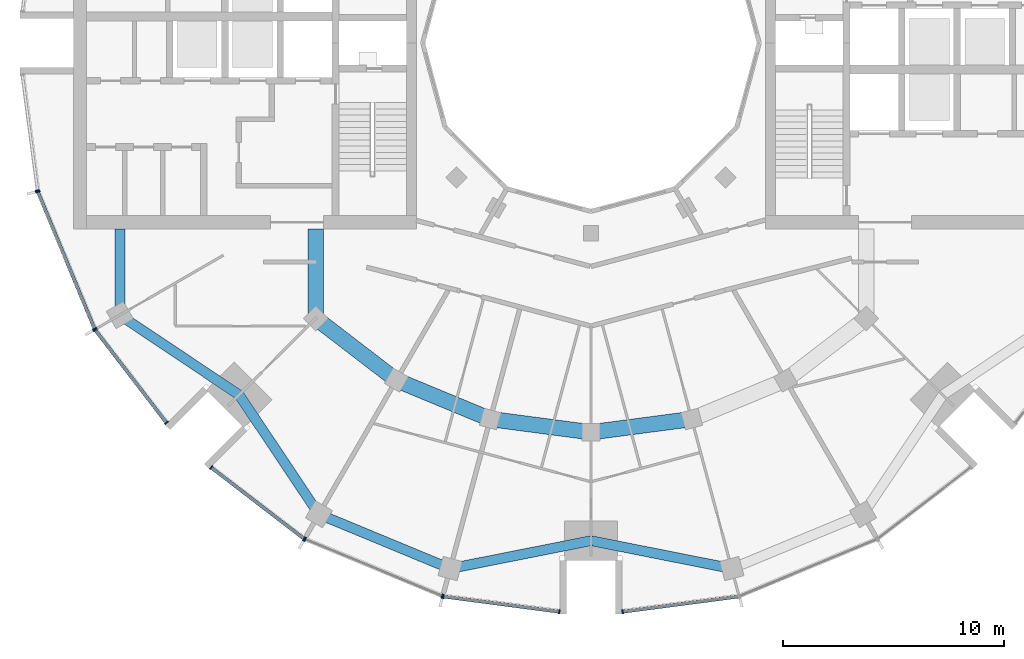
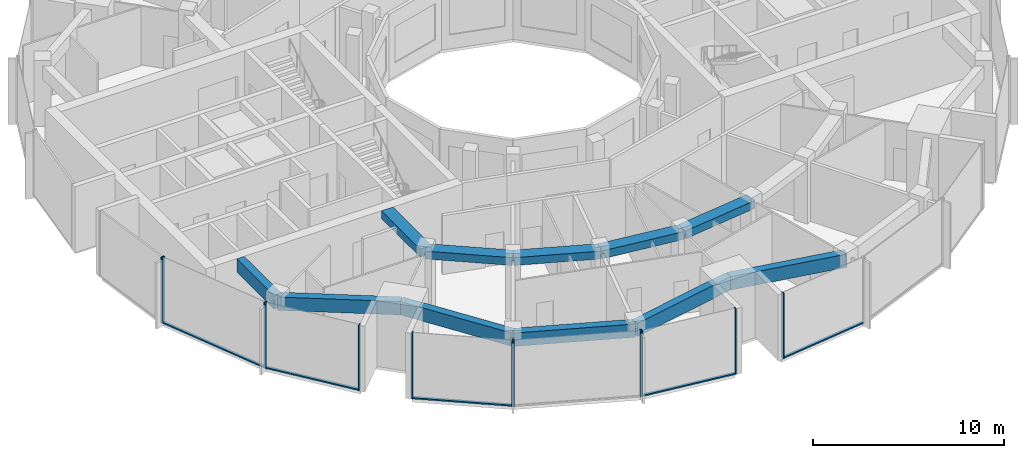
# One storey, part 2 of 15: 17 members, 11 beams, 7 elements without a shape of their own.
"""IFC4 building model written with IfcOpenShell, lengths in metres."""

from ifc_helpers import new_model, si_unit, direction, frame, origin, origin_2d, place, context, subcontext, project, spatial, rectangle, extrude, material, layer, layer_set, material_profile, profile_set, type_object, element, aggregate, save


model = new_model("IFC4")

# Units and contexts
model_context = context("Model", 3, precision=1e-05, world=origin(), true_north=direction((0.0, 1.0)))
body_context = subcontext(model_context, "Body", "Model", "MODEL_VIEW")
ifc_project = project(units=[si_unit("LENGTHUNIT", "METRE"), si_unit("AREAUNIT", "SQUARE_METRE"), si_unit("VOLUMEUNIT", "CUBIC_METRE"), si_unit("PLANEANGLEUNIT", "RADIAN"), si_unit("MASSUNIT", "GRAM", prefix="KILO")], contexts=[model_context])

# Site, building, storey
site_placement = place(None, origin())
site = spatial("IfcSite", under=ifc_project, at=site_placement, CompositionType="ELEMENT")
building_placement = place(site_placement, origin())
building = spatial("IfcBuilding", under=site, at=building_placement, Name="Torre Brocal", CompositionType="ELEMENT")
storey_placement = place(building_placement, frame((0.0, 0.0, 216.699951171875)))
storey = spatial("IfcBuildingStorey", under=building, at=storey_placement, Name="L50", CompositionType="ELEMENT", Elevation=216.699951171875)

# Curtain wall, members
ifc_material_1 = material(Name="Aluminium and glass", Category="aluminium")
ifc_layer_1 = layer(ifc_material_1, 0.199951171875)
ifc_layer_set_1 = layer_set([ifc_layer_1], Name="Aluminium and glass")
curtain_wall_type_1 = type_object("IfcCurtainWallType", Name="CW-1 CURTAIN WALL 4200 HIGH", PredefinedType="NOTDEFINED", material=ifc_layer_set_1)
curtain_wall_1_placement = place(storey_placement, origin())
curtain_wall_1 = element("IfcCurtainWall", 1, at=curtain_wall_1_placement, inside=storey, type_object=curtain_wall_type_1, Name="CW-1 RUN 14", PredefinedType="NOTDEFINED")
ifc_material_2 = material(Name="Aluminium, dark anodised", Category="aluminium")
ifc_material_profile_1 = material_profile(ifc_material_2, rectangle(XDim=0.199951171875, YDim=0.06005859375, at=origin_2d()), Name="CW-1 MULLION 60X200")
ifc_profile_set_1 = profile_set([ifc_material_profile_1], Name="Aluminium, dark anodised")
member_type_1 = type_object("IfcMemberType", Name="CW-1 MULLION 60X200", PredefinedType="MULLION", material=ifc_profile_set_1)
member_1_placement = place(storey_placement, frame((54.994873046875, 68.26904296875, 0.0), z_axis=(0.0, 0.0, 1.0), x_axis=(0.923879532525, 0.382683432333, 0.0)))
member_1 = element("IfcMember", 2, at=member_1_placement, type_object=member_type_1, Name="CW1-5 mullion 1", PredefinedType="MULLION", context=body_context, shape_type="SweptSolid", body=[
    extrude(rectangle(XDim=0.199951171875, YDim=0.06005859375, at=origin_2d()), origin(), (0.0, 0.0, 1.0), 4.199951171875),
])
member_2_placement = place(storey_placement, frame((57.559326171875, 62.078125, 0.0), z_axis=(0.0, 0.0, 1.0), x_axis=(0.923879532525, 0.382683432333, 0.0)))
member_2 = element("IfcMember", 3, at=member_2_placement, type_object=member_type_1, Name="CW1-5 mullion 2", PredefinedType="MULLION", context=body_context, shape_type="SweptSolid", body=[
    extrude(rectangle(XDim=0.199951171875, YDim=0.06005859375, at=origin_2d()), origin(), (0.0, 0.0, 1.0), 4.199951171875),
])

curtain_wall_2_placement = place(storey_placement, origin())
curtain_wall_2 = element("IfcCurtainWall", 4, at=curtain_wall_2_placement, inside=storey, type_object=curtain_wall_type_1, Name="CW-1 RUN 15", PredefinedType="NOTDEFINED")
member_3_placement = place(storey_placement, frame((57.5888671875, 62.026611328125, 0.0), z_axis=(0.0, 0.0, 1.0), x_axis=(0.793353340259, 0.60876142905, 0.0)))
member_3 = element("IfcMember", 5, at=member_3_placement, type_object=member_type_1, Name="CW1-5 mullion 1", PredefinedType="MULLION", context=body_context, shape_type="SweptSolid", body=[
    extrude(rectangle(XDim=0.199951171875, YDim=0.06005859375, at=origin_2d()), origin(), (0.0, 0.0, 1.0), 4.199951171875),
])
member_4_placement = place(storey_placement, frame((60.80859375, 57.83056640625, 0.0), z_axis=(0.0, 0.0, 1.0), x_axis=(0.793353340259, 0.60876142905, 0.0)))
member_4 = element("IfcMember", 6, at=member_4_placement, type_object=member_type_1, Name="CW1-5 mullion 2", PredefinedType="MULLION", context=body_context, shape_type="SweptSolid", body=[
    extrude(rectangle(XDim=0.199951171875, YDim=0.06005859375, at=origin_2d()), origin(), (0.0, 0.0, 1.0), 4.199951171875),
])

curtain_wall_3_placement = place(storey_placement, origin())
curtain_wall_3 = element("IfcCurtainWall", 7, at=curtain_wall_3_placement, inside=storey, type_object=curtain_wall_type_1, Name="CW-1 RUN 16", PredefinedType="NOTDEFINED")
member_5_placement = place(storey_placement, frame((62.83056640625, 55.80859375, 0.0), z_axis=(0.0, 0.0, 1.0), x_axis=(0.60876142905, 0.793353340259, 0.0)))
member_5 = element("IfcMember", 8, at=member_5_placement, type_object=member_type_1, Name="CW1-5 mullion 1", PredefinedType="MULLION", context=body_context, shape_type="SweptSolid", body=[
    extrude(rectangle(XDim=0.199951171875, YDim=0.06005859375, at=origin_2d()), origin(), (0.0, 0.0, 1.0), 4.199951171875),
])
member_6_placement = place(storey_placement, frame((67.026611328125, 52.5888671875, 0.0), z_axis=(0.0, 0.0, 1.0), x_axis=(0.60876142905, 0.793353340259, 0.0)))
member_6 = element("IfcMember", 9, at=member_6_placement, type_object=member_type_1, Name="CW1-5 mullion 2", PredefinedType="MULLION", context=body_context, shape_type="SweptSolid", body=[
    extrude(rectangle(XDim=0.199951171875, YDim=0.06005859375, at=origin_2d()), origin(), (0.0, 0.0, 1.0), 4.199951171875),
])

curtain_wall_4_placement = place(storey_placement, origin())
curtain_wall_4 = element("IfcCurtainWall", 10, at=curtain_wall_4_placement, inside=storey, type_object=curtain_wall_type_1, Name="CW-1 RUN 17", PredefinedType="NOTDEFINED")
member_7_placement = place(storey_placement, frame((67.078125, 52.559326171875, 0.0), z_axis=(0.0, 0.0, 1.0), x_axis=(0.382683432333, 0.923879532525, 0.0)))
member_7 = element("IfcMember", 11, at=member_7_placement, type_object=member_type_1, Name="CW1-5 mullion 1", PredefinedType="MULLION", context=body_context, shape_type="SweptSolid", body=[
    extrude(rectangle(XDim=0.199951171875, YDim=0.06005859375, at=origin_2d()), origin(), (0.0, 0.0, 1.0), 4.199951171875),
])
member_8_placement = place(storey_placement, frame((73.26904296875, 49.994873046875, 0.0), z_axis=(0.0, 0.0, 1.0), x_axis=(0.382683432333, 0.923879532525, 0.0)))
member_8 = element("IfcMember", 12, at=member_8_placement, type_object=member_type_1, Name="CW1-5 mullion 2", PredefinedType="MULLION", context=body_context, shape_type="SweptSolid", body=[
    extrude(rectangle(XDim=0.199951171875, YDim=0.06005859375, at=origin_2d()), origin(), (0.0, 0.0, 1.0), 4.199951171875),
])
aggregate(curtain_wall_4, [member_7, member_8])

curtain_wall_5_placement = place(storey_placement, origin())
curtain_wall_5 = element("IfcCurtainWall", 13, at=curtain_wall_5_placement, inside=storey, type_object=curtain_wall_type_1, Name="CW-1 RUN 18", PredefinedType="NOTDEFINED")
member_9_placement = place(storey_placement, frame((73.32666015625, 49.9794921875, 0.0), z_axis=(0.0, 0.0, 1.0), x_axis=(0.13052619222, 0.991444861374, 0.0)))
member_9 = element("IfcMember", 14, at=member_9_placement, type_object=member_type_1, Name="CW1-5 mullion 1", PredefinedType="MULLION", context=body_context, shape_type="SweptSolid", body=[
    extrude(rectangle(XDim=0.199951171875, YDim=0.06005859375, at=origin_2d()), origin(), (0.0, 0.0, 1.0), 4.199951171875),
])
member_10_placement = place(storey_placement, frame((78.5703125, 49.2890625, 0.0), z_axis=(0.0, 0.0, 1.0), x_axis=(0.13052619222, 0.991444861374, 0.0)))
member_10 = element("IfcMember", 15, at=member_10_placement, type_object=member_type_1, Name="CW1-5 mullion 2", PredefinedType="MULLION", context=body_context, shape_type="SweptSolid", body=[
    extrude(rectangle(XDim=0.199951171875, YDim=0.06005859375, at=origin_2d()), origin(), (0.0, 0.0, 1.0), 4.199951171875),
])

# Curtain wall, member
curtain_wall_6_placement = place(storey_placement, origin())
curtain_wall_6 = element("IfcCurtainWall", 16, at=curtain_wall_6_placement, inside=storey, type_object=curtain_wall_type_1, Name="CW-1 RUN 19", PredefinedType="NOTDEFINED")
member_11_placement = place(storey_placement, frame((81.4296875, 49.2890625, 0.0), z_axis=(0.0, 0.0, 1.0), x_axis=(-0.13052619222, 0.991444861374, 0.0)))
member_11 = element("IfcMember", 17, at=member_11_placement, type_object=member_type_1, Name="CW1-5 mullion 1", PredefinedType="MULLION", context=body_context, shape_type="SweptSolid", body=[
    extrude(rectangle(XDim=0.199951171875, YDim=0.06005859375, at=origin_2d()), origin(), (0.0, 0.0, 1.0), 4.199951171875),
])

# Member
ifc_material_3 = material(Name="Aluminium, dark anodised", Category="aluminium")
ifc_material_profile_2 = material_profile(ifc_material_3, rectangle(XDim=0.159912109375, YDim=0.080078125, at=origin_2d()), Name="CW-1 TRANSOM 160X80")
ifc_profile_set_2 = profile_set([ifc_material_profile_2], Name="Aluminium, dark anodised")
member_type_2 = type_object("IfcMemberType", Name="CW-1 TRANSOM 160X80", PredefinedType="USERDEFINED", material=ifc_profile_set_2)
member_12_placement = place(storey_placement, frame((55.00634765625, 68.241455078125, 0.0400390625), z_axis=(0.38266457234, -0.923887344364, 0.0), x_axis=(0.923887344364, 0.38266457234, 0.0)))
member_12 = element("IfcMember", 18, at=member_12_placement, type_object=member_type_2, Name="CW1-5 transom 1.1", ObjectType="TRANSOM", PredefinedType="USERDEFINED", context=body_context, shape_type="SweptSolid", body=[
    extrude(rectangle(XDim=0.159912109375, YDim=0.080078125, at=origin_2d()), origin(), (0.0, 0.0, 1.0), 6.640869140625),
])

aggregate(curtain_wall_1, [member_1, member_2, member_12])

member_13_placement = place(storey_placement, frame((57.607177734375, 62.0029296875, 0.0400390625), z_axis=(0.60874908096, -0.79336281513, 0.0), x_axis=(0.79336281513, 0.60874908096, 0.0)))
member_13 = element("IfcMember", 19, at=member_13_placement, type_object=member_type_2, Name="CW1-5 transom 1.1", ObjectType="TRANSOM", PredefinedType="USERDEFINED", context=body_context, shape_type="SweptSolid", body=[
    extrude(rectangle(XDim=0.159912109375, YDim=0.080078125, at=origin_2d()), origin(), (0.0, 0.0, 1.0), 5.22900390625),
])

aggregate(curtain_wall_2, [member_3, member_4, member_13])

member_14_placement = place(storey_placement, frame((62.8544921875, 55.790283203125, 0.0400390625), z_axis=(0.79336281513, -0.60874908096, 0.0), x_axis=(0.60874908096, 0.79336281513, 0.0)))
member_14 = element("IfcMember", 20, at=member_14_placement, type_object=member_type_2, Name="CW1-5 transom 1.1", ObjectType="TRANSOM", PredefinedType="USERDEFINED", context=body_context, shape_type="SweptSolid", body=[
    extrude(rectangle(XDim=0.159912109375, YDim=0.080078125, at=origin_2d()), origin(), (0.0, 0.0, 1.0), 5.22900390625),
])

aggregate(curtain_wall_3, [member_5, member_6, member_14])

member_15_placement = place(storey_placement, frame((73.356201171875, 49.9755859375, 0.0400390625), z_axis=(0.991442690863, -0.130542677827, 0.0), x_axis=(0.130542677827, 0.991442690863, 0.0)))
member_15 = element("IfcMember", 21, at=member_15_placement, type_object=member_type_2, Name="CW1-5 transom 1.1", ObjectType="TRANSOM", PredefinedType="USERDEFINED", context=body_context, shape_type="SweptSolid", body=[
    extrude(rectangle(XDim=0.159912109375, YDim=0.080078125, at=origin_2d()), origin(), (0.0, 0.0, 1.0), 5.22900390625),
])

aggregate(curtain_wall_5, [member_9, member_10, member_15])

member_16_placement = place(storey_placement, frame((81.45947265625, 49.29296875, 0.0400390625), z_axis=(0.991442690863, 0.130542677827, 0.0), x_axis=(-0.130542677827, 0.991442690863, 0.0)))
member_16 = element("IfcMember", 22, at=member_16_placement, type_object=member_type_2, Name="CW1-5 transom 1.1", ObjectType="TRANSOM", PredefinedType="USERDEFINED", context=body_context, shape_type="SweptSolid", body=[
    extrude(rectangle(XDim=0.159912109375, YDim=0.080078125, at=origin_2d()), origin(), (0.0, 0.0, 1.0), 5.22900390625),
])

aggregate(curtain_wall_6, [member_11, member_16])

# Curtain wall, member
ifc_material_4 = material(Name="Aluminium and glass", Category="aluminium")
ifc_layer_2 = layer(ifc_material_4, 0.199951171875)
ifc_layer_set_2 = layer_set([ifc_layer_2], Name="Aluminium and glass")
curtain_wall_type_2 = type_object("IfcCurtainWallType", Name="CW-1B CURTAIN WALL 4200 HIGH", PredefinedType="NOTDEFINED", material=ifc_layer_set_2)
curtain_wall_7_placement = place(storey_placement, origin())
curtain_wall_7 = element("IfcCurtainWall", 23, at=curtain_wall_7_placement, inside=storey, type_object=curtain_wall_type_2, Name="CW-1B RUN 13", PredefinedType="NOTDEFINED")
ifc_material_5 = material(Name="Aluminium, dark anodised", Category="aluminium")
ifc_material_profile_3 = material_profile(ifc_material_5, rectangle(XDim=0.199951171875, YDim=0.06005859375, at=origin_2d()), Name="CW-1B MULLION 60X200")
ifc_profile_set_3 = profile_set([ifc_material_profile_3], Name="Aluminium, dark anodised")
member_type_3 = type_object("IfcMemberType", Name="CW-1B MULLION 60X200", PredefinedType="MULLION", material=ifc_profile_set_3)
member_17_placement = place(storey_placement, frame((54.9794921875, 68.32666015625, 0.0), z_axis=(0.0, 0.0, 1.0), x_axis=(0.991444861374, 0.13052619222, 0.0)))
member_17 = element("IfcMember", 24, at=member_17_placement, type_object=member_type_3, Name="CW1B-5 mullion 2", PredefinedType="MULLION", context=body_context, shape_type="SweptSolid", body=[
    extrude(rectangle(XDim=0.199951171875, YDim=0.06005859375, at=origin_2d()), origin(), (0.0, 0.0, 1.0), 4.199951171875),
])
aggregate(curtain_wall_7, [member_17])

# Beams
ifc_material_6 = material(Name="Concrete C50", Category="concrete")
ifc_material_profile_4 = material_profile(ifc_material_6, rectangle(XDim=0.699951171875, YDim=0.5, at=origin_2d()), Name="RC 700X500")
ifc_profile_set_4 = profile_set([ifc_material_profile_4], Name="Concrete C50")
beam_type_1 = type_object("IfcBeamType", Name="RC BEAM 700X500 C50 TOP 3880", PredefinedType="BEAM", material=ifc_profile_set_4)
beam_1_placement = place(storey_placement, frame((67.554931640625, 62.554931640625, 3.630126953125), z_axis=(0.0, 1.0, 0.0), x_axis=(-1.0, 0.0, 0.0)))
element("IfcBeam", 25, at=beam_1_placement, inside=storey, type_object=beam_type_1, Name="Beam BT-37", PredefinedType="BEAM", context=body_context, shape_type="SweptSolid", body=[
    extrude(rectangle(XDim=0.699951171875, YDim=0.5, at=origin_2d()), origin(), (0.0, 0.0, 1.0), 4.045166015625),
])
beam_2_placement = place(storey_placement, frame((67.554931640625, 62.554931640625, 3.630126953125), z_axis=(0.793358265959, -0.6087550097, 0.0), x_axis=(0.6087550097, 0.793358265959, 0.0)))
element("IfcBeam", 26, at=beam_2_placement, inside=storey, type_object=beam_type_1, Name="Beam BT-37", PredefinedType="BEAM", context=body_context, shape_type="SweptSolid", body=[
    extrude(rectangle(XDim=0.699951171875, YDim=0.5, at=origin_2d()), origin(), (0.0, 0.0, 1.0), 4.594482421875),
])
beam_3_placement = place(storey_placement, frame((71.199951171875, 59.758056640625, 3.630126953125), z_axis=(0.923878240166, -0.382686552348, 0.0), x_axis=(0.382686552348, 0.923878240166, 0.0)))
element("IfcBeam", 27, at=beam_3_placement, inside=storey, type_object=beam_type_1, Name="Beam BT-37", PredefinedType="BEAM", context=body_context, shape_type="SweptSolid", body=[
    extrude(rectangle(XDim=0.699951171875, YDim=0.5, at=origin_2d()), origin(), (0.0, 0.0, 1.0), 4.5947265625),
])
for number, where, z_axis, x_axis, name in (
    (28, (75.44482421875, 57.999755859375, 3.630126953125), (0.991440544449, -0.130558978332, 0.0), (0.130558978332, 0.991440544449, 0.0), "Beam BT-37"),
    (29, (80.0, 57.39990234375, 3.630126953125), (0.991440544449, 0.130558978332, 0.0), (-0.130558978332, 0.991440544449, 0.0), "Beam BT-37"),
):
    element("IfcBeam", number, at=place(storey_placement, frame(where, z_axis=z_axis, x_axis=x_axis)), inside=storey, type_object=beam_type_1, Name=name, PredefinedType="BEAM", context=body_context, shape_type="SweptSolid", body=[
        extrude(rectangle(XDim=0.699951171875, YDim=0.5, at=origin_2d()), origin(), (0.0, 0.0, 1.0), 4.594482421875),
    ])
ifc_material_7 = material(Name="Concrete C50", Category="concrete")
ifc_material_profile_5 = material_profile(ifc_material_7, rectangle(XDim=0.449951171875, YDim=0.85009765625, at=origin_2d()), Name="RC 450X850")
ifc_profile_set_5 = profile_set([ifc_material_profile_5], Name="Concrete C50")
beam_type_2 = type_object("IfcBeamType", Name="RC SPANDREL BEAM 450X850 C50 TOP 3880", PredefinedType="SPANDREL", material=ifc_profile_set_5)
beam_4_placement = place(storey_placement, frame((58.69580078125, 62.699951171875, 3.455078125), z_axis=(0.0, 1.0, 0.0), x_axis=(-1.0, 0.0, 0.0)))
element("IfcBeam", 30, at=beam_4_placement, inside=storey, type_object=beam_type_2, Name="Beam BT-38", PredefinedType="SPANDREL", context=body_context, shape_type="SweptSolid", body=[
    extrude(rectangle(XDim=0.449951171875, YDim=0.85009765625, at=origin_2d()), origin(), (0.0, 0.0, 1.0), 3.900146484375),
])
for number, where, z_axis, x_axis, name in (
    (31, (58.69580078125, 62.699951171875, 3.455078125), (0.831076844476, -0.556157602282, 0.0), (0.556157602282, 0.831076844476, 0.0), "Beam BT-38"),
    (32, (64.090087890625, 59.090087890625, 3.455078125), (0.556157602282, -0.831076844476, 0.0), (0.831076844476, 0.556157602282, 0.0), "Beam BT-38"),
):
    element("IfcBeam", number, at=place(storey_placement, frame(where, z_axis=z_axis, x_axis=x_axis)), inside=storey, type_object=beam_type_2, Name=name, PredefinedType="SPANDREL", context=body_context, shape_type="SweptSolid", body=[
        extrude(rectangle(XDim=0.449951171875, YDim=0.85009765625, at=origin_2d()), origin(), (0.0, 0.0, 1.0), 6.49072265625),
    ])
beam_5_placement = place(storey_placement, frame((67.699951171875, 53.69580078125, 3.455078125), z_axis=(0.923882462513, -0.382676358639, 0.0), x_axis=(0.382676358639, 0.923882462513, 0.0)))
element("IfcBeam", 33, at=beam_5_placement, inside=storey, type_object=beam_type_2, Name="Beam BT-38", PredefinedType="SPANDREL", context=body_context, shape_type="SweptSolid", body=[
    extrude(rectangle(XDim=0.449951171875, YDim=0.85009765625, at=origin_2d()), origin(), (0.0, 0.0, 1.0), 6.421875),
])
for number, where, z_axis, x_axis, name in (
    (34, (73.633056640625, 51.23828125, 3.455078125), (0.980924907484, 0.194387051723, 0.0), (-0.194387051723, 0.980924907484, 0.0), "Beam BT-38"),
    (35, (80.0, 52.5, 3.455078125), (0.980924907484, -0.194387051723, 0.0), (0.194387051723, 0.980924907484, 0.0), "Beam BT-38"),
):
    element("IfcBeam", number, at=place(storey_placement, frame(where, z_axis=z_axis, x_axis=x_axis)), inside=storey, type_object=beam_type_2, Name=name, PredefinedType="SPANDREL", context=body_context, shape_type="SweptSolid", body=[
        extrude(rectangle(XDim=0.449951171875, YDim=0.85009765625, at=origin_2d()), origin(), (0.0, 0.0, 1.0), 6.49072265625),
    ])

save(model, "model.ifc")
